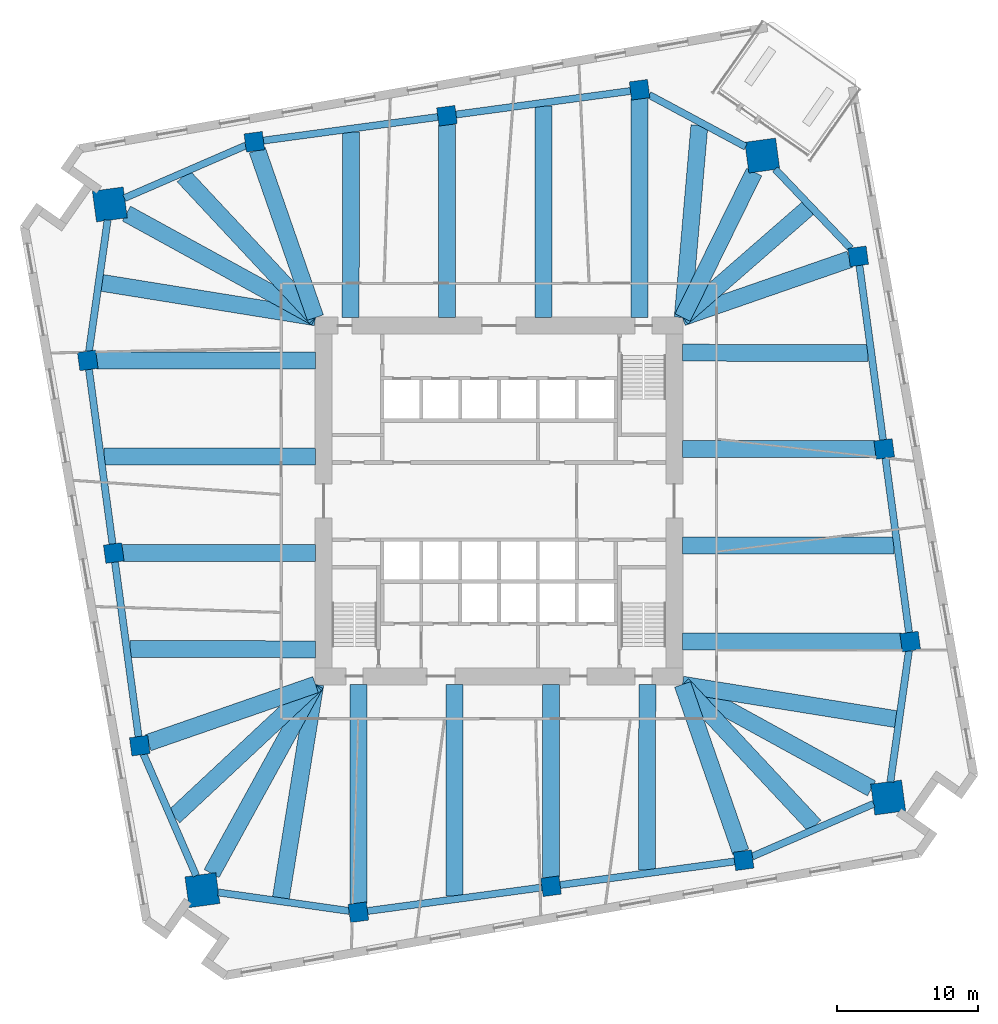
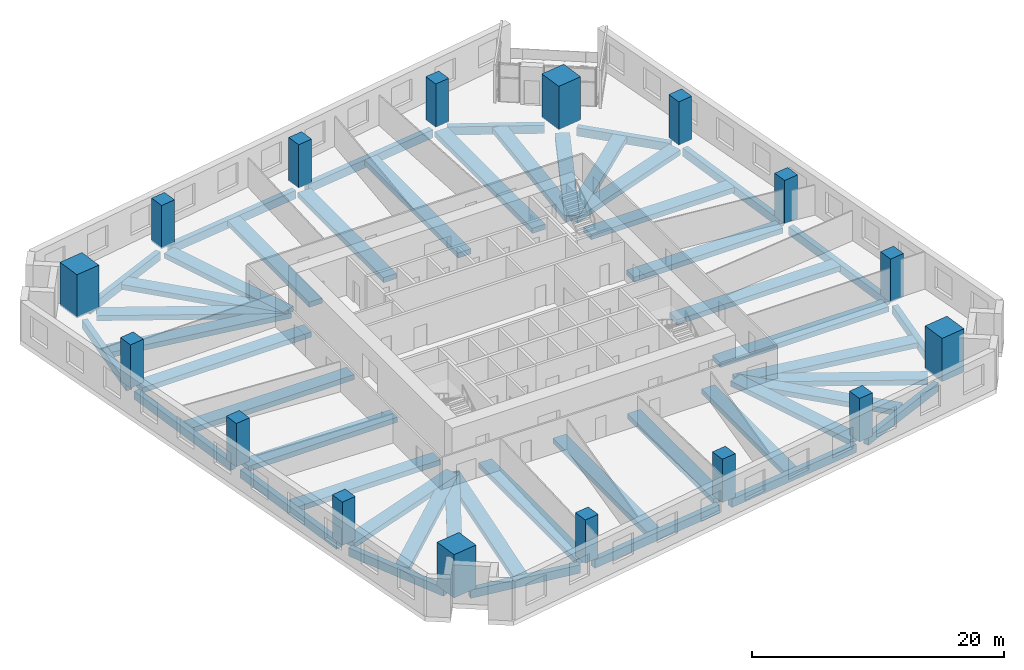
# One storey, part 1 of 10: 48 beams, 16 columns.
"""IFC4 building model written with IfcOpenShell, lengths in metres."""

from ifc_helpers import new_model, si_unit, direction, frame, origin, origin_2d, place, context, subcontext, project, spatial, rectangle, extrude, material, material_profile, profile_set, type_object, element, save


model = new_model("IFC4")

# Units and contexts
model_context = context("Model", 3, precision=1e-05, world=origin(), true_north=direction((0.0, 1.0)))
body_context = subcontext(model_context, "Body", "Model", "MODEL_VIEW")
ifc_project = project(units=[si_unit("LENGTHUNIT", "METRE"), si_unit("AREAUNIT", "SQUARE_METRE"), si_unit("VOLUMEUNIT", "CUBIC_METRE"), si_unit("PLANEANGLEUNIT", "RADIAN"), si_unit("MASSUNIT", "GRAM", prefix="KILO")], contexts=[model_context])

# Site, building, storey
site_placement = place(None, origin())
site = spatial("IfcSite", under=ifc_project, at=site_placement, CompositionType="ELEMENT")
building_placement = place(site_placement, origin())
building = spatial("IfcBuilding", under=site, at=building_placement, Name="Dilmun Exchange Tower", CompositionType="ELEMENT")
storey_placement = place(building_placement, frame((0.0, 0.0, 63.89990234375)))
storey = spatial("IfcBuildingStorey", under=building, at=storey_placement, Name="L14", CompositionType="ELEMENT", Elevation=63.89990234375)

# Columns
ifc_material_1 = material(Name="Concrete C80/95", Category="concrete")
ifc_material_profile_1 = material_profile(ifc_material_1, rectangle(XDim=2.199951171875, YDim=2.199951171875, at=origin_2d()), Name="2200 x 2200")
ifc_profile_set_1 = profile_set([ifc_material_profile_1], Name="Concrete C80/95")
column_type_1 = type_object("IfcColumnType", Name="RC mega column 2200 x 2200 C80/95", PredefinedType="COLUMN", material=ifc_profile_set_1)
for number, where, z_axis, x_axis, name in (
    (1, (18.6220703125, 24.43701171875, 0.0), (0.0, 0.0, 1.0), (0.991001197216, 0.133853005627, 0.0), "Mega column M1"),
    (2, (-27.531005859375, 20.97900390625, 0.0), (0.0, 0.0, 1.0), (0.991001197216, 0.133853005627, 0.0), "Mega column M2"),
    (3, (-20.97900390625, -27.531005859375, 0.0), (0.0, 0.0, 1.0), (0.991001197216, 0.133853005627, 0.0), "Mega column M3"),
    (4, (27.531005859375, -20.97900390625, 0.0), (0.0, 0.0, 1.0), (0.991001197216, 0.133853005627, 0.0), "Mega column M4"),
):
    element("IfcColumn", number, at=place(storey_placement, frame(where, z_axis=z_axis, x_axis=x_axis)), inside=storey, type_object=column_type_1, Name=name, PredefinedType="COLUMN", context=body_context, shape_type="SweptSolid", body=[
        extrude(rectangle(XDim=2.199951171875, YDim=2.199951171875, at=origin_2d()), origin(), (0.0, 0.0, 1.0), 4.2001953125),
    ])
ifc_material_profile_2 = material_profile(ifc_material_1, rectangle(XDim=1.300048828125, YDim=1.300048828125, at=origin_2d()), Name="1300 x 1300")
ifc_profile_set_2 = profile_set([ifc_material_profile_2], Name="Concrete C80/95")
column_type_2 = type_object("IfcColumnType", Name="RC ring column 1300 x 1300 C80/95", PredefinedType="COLUMN", material=ifc_profile_set_2)
for number, where, z_axis, x_axis, name in (
    (5, (9.945068359375, 29.093017578125, 0.0), (0.0, 0.0, 1.0), (0.991001197216, 0.133853005627, 0.0), "Ring column R01"),
    (6, (-3.680908203125, 27.2529296875, 0.0), (0.0, 0.0, 1.0), (0.991001197216, 0.133853005627, 0.0), "Ring column R02"),
    (7, (-17.306884765625, 25.412109375, 0.0), (0.0, 0.0, 1.0), (0.991001197216, 0.133853005627, 0.0), "Ring column R03"),
    (8, (-29.093017578125, 9.945068359375, 0.0), (0.0, 0.0, 1.0), (0.991001197216, 0.133853005627, 0.0), "Ring column R04"),
    (9, (-27.2529296875, -3.680908203125, 0.0), (0.0, 0.0, 1.0), (0.991001197216, 0.133853005627, 0.0), "Ring column R05"),
    (10, (-25.412109375, -17.306884765625, 0.0), (0.0, 0.0, 1.0), (0.991001197216, 0.133853005627, 0.0), "Ring column R06"),
    (11, (-9.945068359375, -29.093017578125, 0.0), (0.0, 0.0, 1.0), (0.991001197216, 0.133853005627, 0.0), "Ring column R07"),
    (12, (3.680908203125, -27.2529296875, 0.0), (0.0, 0.0, 1.0), (0.991001197216, 0.133853005627, 0.0), "Ring column R08"),
    (13, (17.306884765625, -25.412109375, 0.0), (0.0, 0.0, 1.0), (0.991001197216, 0.133853005627, 0.0), "Ring column R09"),
    (14, (29.093017578125, -9.945068359375, 0.0), (0.0, 0.0, 1.0), (0.991001197216, 0.133853005627, 0.0), "Ring column R10"),
    (15, (27.2529296875, 3.680908203125, 0.0), (0.0, 0.0, 1.0), (0.991001197216, 0.133853005627, 0.0), "Ring column R11"),
    (16, (25.412109375, 17.306884765625, 0.0), (0.0, 0.0, 1.0), (0.991001197216, 0.133853005627, 0.0), "Ring column R12"),
):
    element("IfcColumn", number, at=place(storey_placement, frame(where, z_axis=z_axis, x_axis=x_axis)), inside=storey, type_object=column_type_2, Name=name, PredefinedType="COLUMN", context=body_context, shape_type="SweptSolid", body=[
        extrude(rectangle(XDim=1.300048828125, YDim=1.300048828125, at=origin_2d()), origin(), (0.0, 0.0, 1.0), 4.2001953125),
    ])

# Beams
ifc_material_2 = material(Name="Concrete C40/50", Category="concrete")
ifc_material_profile_3 = material_profile(ifc_material_2, rectangle(XDim=1.199951171875, YDim=0.5, at=origin_2d()), Name="1200 x 500")
ifc_profile_set_3 = profile_set([ifc_material_profile_3], Name="Concrete C40/50")
beam_type_1 = type_object("IfcBeamType", Name="RC band beam 1200 x 500 C40/50", PredefinedType="BEAM", material=ifc_profile_set_3)
beam_1_placement = place(storey_placement, frame((18.049560546875, 23.272216796875, -0.699951171875), z_axis=(-0.44116009834, -0.897428419225, 0.0), x_axis=(0.897428419225, -0.44116009834, 0.0)))
element("IfcBeam", 17, at=beam_1_placement, inside=storey, type_object=beam_type_1, Name="Band beam 1", PredefinedType="BEAM", context=body_context, shape_type="SweptSolid", body=[
    extrude(rectangle(XDim=1.199951171875, YDim=0.5, at=origin_2d()), origin(), (0.0, 0.0, 1.0), 11.47314453125),
])
beam_2_placement = place(storey_placement, frame((9.945068359375, 28.464111328125, -0.699951171875), z_axis=(0.0, -1.0, 0.0), x_axis=(1.0, 0.0, 0.0)))
element("IfcBeam", 18, at=beam_2_placement, inside=storey, type_object=beam_type_1, Name="Band beam 2", PredefinedType="BEAM", context=body_context, shape_type="SweptSolid", body=[
    extrude(rectangle(XDim=1.199951171875, YDim=0.5, at=origin_2d()), origin(), (0.0, 0.0, 1.0), 15.4912109375),
])
beam_3_placement = place(storey_placement, frame((-3.680908203125, 26.6240234375, -0.699951171875), z_axis=(0.0, -1.0, 0.0), x_axis=(1.0, 0.0, 0.0)))
element("IfcBeam", 19, at=beam_3_placement, inside=storey, type_object=beam_type_1, Name="Band beam 3", PredefinedType="BEAM", context=body_context, shape_type="SweptSolid", body=[
    extrude(rectangle(XDim=1.199951171875, YDim=0.5, at=origin_2d()), origin(), (0.0, 0.0, 1.0), 13.651123046875),
])
beam_4_placement = place(storey_placement, frame((-17.098388671875, 24.81103515625, -0.699951171875), z_axis=(0.327819910959, -0.94474023201, 0.0), x_axis=(0.94474023201, 0.327819910959, 0.0)))
element("IfcBeam", 20, at=beam_4_placement, inside=storey, type_object=beam_type_1, Name="Band beam 4", PredefinedType="BEAM", context=body_context, shape_type="SweptSolid", body=[
    extrude(rectangle(XDim=1.199951171875, YDim=0.5, at=origin_2d()), origin(), (0.0, 0.0, 1.0), 12.52880859375),
])
beam_5_placement = place(storey_placement, frame((-26.355712890625, 20.333740234375, -0.699951171875), z_axis=(0.876547324806, -0.481315683699, 0.0), x_axis=(0.481315683699, 0.876547324806, 0.0)))
element("IfcBeam", 21, at=beam_5_placement, inside=storey, type_object=beam_type_1, Name="Band beam 5", PredefinedType="BEAM", context=body_context, shape_type="SweptSolid", body=[
    extrude(rectangle(XDim=1.199951171875, YDim=0.5, at=origin_2d()), origin(), (0.0, 0.0, 1.0), 15.263671875),
])
beam_6_placement = place(storey_placement, frame((-28.464111328125, 9.945068359375, -0.699951171875), z_axis=(1.0, 0.0, 0.0), x_axis=(0.0, 1.0, 0.0)))
element("IfcBeam", 22, at=beam_6_placement, inside=storey, type_object=beam_type_1, Name="Band beam 6", PredefinedType="BEAM", context=body_context, shape_type="SweptSolid", body=[
    extrude(rectangle(XDim=1.199951171875, YDim=0.5, at=origin_2d()), origin(), (0.0, 0.0, 1.0), 15.4912109375),
])
beam_7_placement = place(storey_placement, frame((-26.6240234375, -3.680908203125, -0.699951171875), z_axis=(1.0, 0.0, 0.0), x_axis=(0.0, 1.0, 0.0)))
element("IfcBeam", 23, at=beam_7_placement, inside=storey, type_object=beam_type_1, Name="Band beam 7", PredefinedType="BEAM", context=body_context, shape_type="SweptSolid", body=[
    extrude(rectangle(XDim=1.199951171875, YDim=0.5, at=origin_2d()), origin(), (0.0, 0.0, 1.0), 13.651123046875),
])
beam_8_placement = place(storey_placement, frame((-24.81103515625, -17.098388671875, -0.699951171875), z_axis=(0.94474023201, 0.327819910959, 0.0), x_axis=(-0.327819910959, 0.94474023201, 0.0)))
element("IfcBeam", 24, at=beam_8_placement, inside=storey, type_object=beam_type_1, Name="Band beam 8", PredefinedType="BEAM", context=body_context, shape_type="SweptSolid", body=[
    extrude(rectangle(XDim=1.199951171875, YDim=0.5, at=origin_2d()), origin(), (0.0, 0.0, 1.0), 12.52880859375),
])
beam_9_placement = place(storey_placement, frame((-20.333740234375, -26.355712890625, -0.699951171875), z_axis=(0.481315683699, 0.876547324806, 0.0), x_axis=(-0.876547324806, 0.481315683699, 0.0)))
element("IfcBeam", 25, at=beam_9_placement, inside=storey, type_object=beam_type_1, Name="Band beam 9", PredefinedType="BEAM", context=body_context, shape_type="SweptSolid", body=[
    extrude(rectangle(XDim=1.199951171875, YDim=0.5, at=origin_2d()), origin(), (0.0, 0.0, 1.0), 15.263671875),
])
beam_10_placement = place(storey_placement, frame((-9.945068359375, -28.464111328125, -0.699951171875), z_axis=(0.0, 1.0, 0.0), x_axis=(-1.0, 0.0, 0.0)))
element("IfcBeam", 26, at=beam_10_placement, inside=storey, type_object=beam_type_1, Name="Band beam 10", PredefinedType="BEAM", context=body_context, shape_type="SweptSolid", body=[
    extrude(rectangle(XDim=1.199951171875, YDim=0.5, at=origin_2d()), origin(), (0.0, 0.0, 1.0), 15.4912109375),
])
beam_11_placement = place(storey_placement, frame((3.680908203125, -26.6240234375, -0.699951171875), z_axis=(0.0, 1.0, 0.0), x_axis=(-1.0, 0.0, 0.0)))
element("IfcBeam", 27, at=beam_11_placement, inside=storey, type_object=beam_type_1, Name="Band beam 11", PredefinedType="BEAM", context=body_context, shape_type="SweptSolid", body=[
    extrude(rectangle(XDim=1.199951171875, YDim=0.5, at=origin_2d()), origin(), (0.0, 0.0, 1.0), 13.651123046875),
])
beam_12_placement = place(storey_placement, frame((17.098388671875, -24.81103515625, -0.699951171875), z_axis=(-0.327819910959, 0.94474023201, 0.0), x_axis=(-0.94474023201, -0.327819910959, 0.0)))
element("IfcBeam", 28, at=beam_12_placement, inside=storey, type_object=beam_type_1, Name="Band beam 12", PredefinedType="BEAM", context=body_context, shape_type="SweptSolid", body=[
    extrude(rectangle(XDim=1.199951171875, YDim=0.5, at=origin_2d()), origin(), (0.0, 0.0, 1.0), 12.52880859375),
])
beam_13_placement = place(storey_placement, frame((26.355712890625, -20.333740234375, -0.699951171875), z_axis=(-0.876547324806, 0.481315683699, 0.0), x_axis=(-0.481315683699, -0.876547324806, 0.0)))
element("IfcBeam", 29, at=beam_13_placement, inside=storey, type_object=beam_type_1, Name="Band beam 13", PredefinedType="BEAM", context=body_context, shape_type="SweptSolid", body=[
    extrude(rectangle(XDim=1.199951171875, YDim=0.5, at=origin_2d()), origin(), (0.0, 0.0, 1.0), 15.263671875),
])
beam_14_placement = place(storey_placement, frame((28.464111328125, -9.945068359375, -0.699951171875), z_axis=(-1.0, 0.0, 0.0), x_axis=(0.0, -1.0, 0.0)))
element("IfcBeam", 30, at=beam_14_placement, inside=storey, type_object=beam_type_1, Name="Band beam 14", PredefinedType="BEAM", context=body_context, shape_type="SweptSolid", body=[
    extrude(rectangle(XDim=1.199951171875, YDim=0.5, at=origin_2d()), origin(), (0.0, 0.0, 1.0), 15.4912109375),
])
beam_15_placement = place(storey_placement, frame((26.6240234375, 3.680908203125, -0.699951171875), z_axis=(-1.0, 0.0, 0.0), x_axis=(0.0, -1.0, 0.0)))
element("IfcBeam", 31, at=beam_15_placement, inside=storey, type_object=beam_type_1, Name="Band beam 15", PredefinedType="BEAM", context=body_context, shape_type="SweptSolid", body=[
    extrude(rectangle(XDim=1.199951171875, YDim=0.5, at=origin_2d()), origin(), (0.0, 0.0, 1.0), 13.651123046875),
])
beam_16_placement = place(storey_placement, frame((24.81103515625, 17.098388671875, -0.699951171875), z_axis=(-0.94474023201, -0.327819910959, 0.0), x_axis=(0.327819910959, -0.94474023201, 0.0)))
element("IfcBeam", 32, at=beam_16_placement, inside=storey, type_object=beam_type_1, Name="Band beam 16", PredefinedType="BEAM", context=body_context, shape_type="SweptSolid", body=[
    extrude(rectangle(XDim=1.199951171875, YDim=0.5, at=origin_2d()), origin(), (0.0, 0.0, 1.0), 12.52880859375),
])
beam_17_placement = place(storey_placement, frame((14.177978515625, 26.568603515625, -0.699951171875), z_axis=(-0.086499148019, -0.996251924662, 0.0), x_axis=(0.996251924662, -0.086499148019, 0.0)))
element("IfcBeam", 33, at=beam_17_placement, inside=storey, type_object=beam_type_1, Name="Band beam 17", PredefinedType="BEAM", context=body_context, shape_type="SweptSolid", body=[
    extrude(rectangle(XDim=1.199951171875, YDim=0.5, at=origin_2d()), origin(), (0.0, 0.0, 1.0), 13.646728515625),
])
beam_18_placement = place(storey_placement, frame((3.161865234375, 27.951904296875, -0.699951171875), z_axis=(-0.001988456479, -0.999998023018, 0.0), x_axis=(0.999998023018, -0.001988456479, 0.0)))
element("IfcBeam", 34, at=beam_18_placement, inside=storey, type_object=beam_type_1, Name="Band beam 18", PredefinedType="BEAM", context=body_context, shape_type="SweptSolid", body=[
    extrude(rectangle(XDim=1.199951171875, YDim=0.5, at=origin_2d()), origin(), (0.0, 0.0, 1.0), 14.97900390625),
])
beam_19_placement = place(storey_placement, frame((-10.464111328125, 26.111572265625, -0.699951171875), z_axis=(-0.002266977971, -0.999997430402, 0.0), x_axis=(0.999997430402, -0.002266977971, 0.0)))
element("IfcBeam", 35, at=beam_19_placement, inside=storey, type_object=beam_type_1, Name="Band beam 19", PredefinedType="BEAM", context=body_context, shape_type="SweptSolid", body=[
    extrude(rectangle(XDim=1.199951171875, YDim=0.5, at=origin_2d()), origin(), (0.0, 0.0, 1.0), 13.138671875),
])
beam_20_placement = place(storey_placement, frame((-22.330322265625, 22.990966796875, -0.699951171875), z_axis=(0.682523984798, -0.730863195253, 0.0), x_axis=(0.730863195253, 0.682523984798, 0.0)))
element("IfcBeam", 36, at=beam_20_placement, inside=storey, type_object=beam_type_1, Name="Band beam 20", PredefinedType="BEAM", context=body_context, shape_type="SweptSolid", body=[
    extrude(rectangle(XDim=1.199951171875, YDim=0.5, at=origin_2d()), origin(), (0.0, 0.0, 1.0), 13.697265625),
])
beam_21_placement = place(storey_placement, frame((-28.09130859375, 15.4306640625, -0.699951171875), z_axis=(0.98727513595, -0.159021400868, 0.0), x_axis=(0.159021400868, 0.98727513595, 0.0)))
element("IfcBeam", 37, at=beam_21_placement, inside=storey, type_object=beam_type_1, Name="Band beam 21", PredefinedType="BEAM", context=body_context, shape_type="SweptSolid", body=[
    extrude(rectangle(XDim=1.199951171875, YDim=0.5, at=origin_2d()), origin(), (0.0, 0.0, 1.0), 15.312744140625),
])
beam_22_placement = place(storey_placement, frame((-27.951904296875, 3.161865234375, -0.699951171875), z_axis=(0.999998023018, -0.001988456479, 0.0), x_axis=(0.001988456479, 0.999998023018, 0.0)))
element("IfcBeam", 38, at=beam_22_placement, inside=storey, type_object=beam_type_1, Name="Band beam 22", PredefinedType="BEAM", context=body_context, shape_type="SweptSolid", body=[
    extrude(rectangle(XDim=1.199951171875, YDim=0.5, at=origin_2d()), origin(), (0.0, 0.0, 1.0), 14.97900390625),
])
beam_23_placement = place(storey_placement, frame((-26.111572265625, -10.464111328125, -0.699951171875), z_axis=(0.999997430402, -0.002266977971, 0.0), x_axis=(0.002266977971, 0.999997430402, 0.0)))
element("IfcBeam", 39, at=beam_23_placement, inside=storey, type_object=beam_type_1, Name="Band beam 23", PredefinedType="BEAM", context=body_context, shape_type="SweptSolid", body=[
    extrude(rectangle(XDim=1.199951171875, YDim=0.5, at=origin_2d()), origin(), (0.0, 0.0, 1.0), 13.138671875),
])
beam_24_placement = place(storey_placement, frame((-22.990966796875, -22.330322265625, -0.699951171875), z_axis=(0.730863195253, 0.682523984798, 0.0), x_axis=(-0.682523984798, 0.730863195253, 0.0)))
element("IfcBeam", 40, at=beam_24_placement, inside=storey, type_object=beam_type_1, Name="Band beam 24", PredefinedType="BEAM", context=body_context, shape_type="SweptSolid", body=[
    extrude(rectangle(XDim=1.199951171875, YDim=0.5, at=origin_2d()), origin(), (0.0, 0.0, 1.0), 13.697265625),
])
beam_25_placement = place(storey_placement, frame((-15.4306640625, -28.09130859375, -0.699951171875), z_axis=(0.159021400868, 0.98727513595, 0.0), x_axis=(-0.98727513595, 0.159021400868, 0.0)))
element("IfcBeam", 41, at=beam_25_placement, inside=storey, type_object=beam_type_1, Name="Band beam 25", PredefinedType="BEAM", context=body_context, shape_type="SweptSolid", body=[
    extrude(rectangle(XDim=1.199951171875, YDim=0.5, at=origin_2d()), origin(), (0.0, 0.0, 1.0), 15.312744140625),
])
beam_26_placement = place(storey_placement, frame((-3.161865234375, -27.951904296875, -0.699951171875), z_axis=(0.001988456479, 0.999998023018, 0.0), x_axis=(-0.999998023018, 0.001988456479, 0.0)))
element("IfcBeam", 42, at=beam_26_placement, inside=storey, type_object=beam_type_1, Name="Band beam 26", PredefinedType="BEAM", context=body_context, shape_type="SweptSolid", body=[
    extrude(rectangle(XDim=1.199951171875, YDim=0.5, at=origin_2d()), origin(), (0.0, 0.0, 1.0), 14.97900390625),
])
beam_27_placement = place(storey_placement, frame((10.464111328125, -26.111572265625, -0.699951171875), z_axis=(0.002266977971, 0.999997430402, 0.0), x_axis=(-0.999997430402, 0.002266977971, 0.0)))
element("IfcBeam", 43, at=beam_27_placement, inside=storey, type_object=beam_type_1, Name="Band beam 27", PredefinedType="BEAM", context=body_context, shape_type="SweptSolid", body=[
    extrude(rectangle(XDim=1.199951171875, YDim=0.5, at=origin_2d()), origin(), (0.0, 0.0, 1.0), 13.138671875),
])
beam_28_placement = place(storey_placement, frame((22.330322265625, -22.990966796875, -0.699951171875), z_axis=(-0.682523984798, 0.730863195253, 0.0), x_axis=(-0.730863195253, -0.682523984798, 0.0)))
element("IfcBeam", 44, at=beam_28_placement, inside=storey, type_object=beam_type_1, Name="Band beam 28", PredefinedType="BEAM", context=body_context, shape_type="SweptSolid", body=[
    extrude(rectangle(XDim=1.199951171875, YDim=0.5, at=origin_2d()), origin(), (0.0, 0.0, 1.0), 13.697265625),
])
beam_29_placement = place(storey_placement, frame((28.09130859375, -15.4306640625, -0.699951171875), z_axis=(-0.98727513595, 0.159021400868, 0.0), x_axis=(-0.159021400868, -0.98727513595, 0.0)))
element("IfcBeam", 45, at=beam_29_placement, inside=storey, type_object=beam_type_1, Name="Band beam 29", PredefinedType="BEAM", context=body_context, shape_type="SweptSolid", body=[
    extrude(rectangle(XDim=1.199951171875, YDim=0.5, at=origin_2d()), origin(), (0.0, 0.0, 1.0), 15.312744140625),
])
beam_30_placement = place(storey_placement, frame((27.951904296875, -3.161865234375, -0.699951171875), z_axis=(-0.999998023018, 0.001988456479, 0.0), x_axis=(-0.001988456479, -0.999998023018, 0.0)))
element("IfcBeam", 46, at=beam_30_placement, inside=storey, type_object=beam_type_1, Name="Band beam 30", PredefinedType="BEAM", context=body_context, shape_type="SweptSolid", body=[
    extrude(rectangle(XDim=1.199951171875, YDim=0.5, at=origin_2d()), origin(), (0.0, 0.0, 1.0), 14.97900390625),
])
beam_31_placement = place(storey_placement, frame((26.111572265625, 10.464111328125, -0.699951171875), z_axis=(-0.999997430402, 0.002266977971, 0.0), x_axis=(-0.002266977971, -0.999997430402, 0.0)))
element("IfcBeam", 47, at=beam_31_placement, inside=storey, type_object=beam_type_1, Name="Band beam 31", PredefinedType="BEAM", context=body_context, shape_type="SweptSolid", body=[
    extrude(rectangle(XDim=1.199951171875, YDim=0.5, at=origin_2d()), origin(), (0.0, 0.0, 1.0), 13.138671875),
])
beam_32_placement = place(storey_placement, frame((21.85546875, 20.71826171875, -0.699951171875), z_axis=(-0.75384567582, -0.657051517803, 0.0), x_axis=(0.657051517803, -0.75384567582, 0.0)))
element("IfcBeam", 48, at=beam_32_placement, inside=storey, type_object=beam_type_1, Name="Band beam 32", PredefinedType="BEAM", context=body_context, shape_type="SweptSolid", body=[
    extrude(rectangle(XDim=1.199951171875, YDim=0.5, at=origin_2d()), origin(), (0.0, 0.0, 1.0), 11.77392578125),
])
ifc_material_profile_4 = material_profile(ifc_material_2, rectangle(XDim=0.5, YDim=0.800048828125, at=origin_2d()), Name="500 x 800")
ifc_profile_set_4 = profile_set([ifc_material_profile_4], Name="Concrete C40/50")
beam_type_2 = type_object("IfcBeamType", Name="RC ring beam 500 x 800 C40/50", PredefinedType="SPANDREL", material=ifc_profile_set_4)
beam_33_placement = place(storey_placement, frame((17.44921875, 25.06640625, -0.849853515625), z_axis=(-0.881161870548, 0.472814718354, 0.0), x_axis=(-0.472814718354, -0.881161870548, 0.0)))
element("IfcBeam", 49, at=beam_33_placement, inside=storey, type_object=beam_type_2, Name="Ring beam 1", PredefinedType="SPANDREL", context=body_context, shape_type="SweptSolid", body=[
    extrude(rectangle(XDim=0.5, YDim=0.800048828125, at=origin_2d()), origin(), (0.0, 0.0, 1.0), 7.74072265625),
])
for number, where, z_axis, x_axis, name in (
    (50, (9.32763671875, 29.009521484375, -0.849853515625), (-0.991007411355, -0.133806990248, 0.0), (0.133806990248, -0.991007411355, 0.0), "Ring beam 2"),
    (51, (-4.29833984375, 27.169677734375, -0.849853515625), (-0.990994461239, -0.133902867012, 0.0), (0.133902867012, -0.990994461239, 0.0), "Ring beam 3"),
):
    element("IfcBeam", number, at=place(storey_placement, frame(where, z_axis=z_axis, x_axis=x_axis)), inside=storey, type_object=beam_type_2, Name=name, PredefinedType="SPANDREL", context=body_context, shape_type="SweptSolid", body=[
        extrude(rectangle(XDim=0.5, YDim=0.800048828125, at=origin_2d()), origin(), (0.0, 0.0, 1.0), 12.50390625),
    ])
beam_34_placement = place(storey_placement, frame((-17.90185546875, 25.154052734375, -0.849853515625), z_axis=(-0.917467286901, -0.397811233459, 0.0), x_axis=(0.397811233459, -0.917467286901, 0.0)))
element("IfcBeam", 52, at=beam_34_placement, inside=storey, type_object=beam_type_2, Name="Ring beam 4", PredefinedType="SPANDREL", context=body_context, shape_type="SweptSolid", body=[
    extrude(rectangle(XDim=0.5, YDim=0.800048828125, at=origin_2d()), origin(), (0.0, 0.0, 1.0), 9.37939453125),
])
beam_35_placement = place(storey_placement, frame((-27.6875, 19.8740234375, -0.849853515625), z_axis=(-0.140164060375, -0.990128292788, 0.0), x_axis=(0.990128292788, -0.140164060375, 0.0)))
element("IfcBeam", 53, at=beam_35_placement, inside=storey, type_object=beam_type_2, Name="Ring beam 5", PredefinedType="SPANDREL", context=body_context, shape_type="SweptSolid", body=[
    extrude(rectangle(XDim=0.5, YDim=0.800048828125, at=origin_2d()), origin(), (0.0, 0.0, 1.0), 9.379638671875),
])
for number, where, z_axis, x_axis, name in (
    (54, (-29.009521484375, 9.32763671875, -0.849853515625), (0.133806990248, -0.991007411355, 0.0), (0.991007411355, 0.133806990248, 0.0), "Ring beam 6"),
    (55, (-27.169677734375, -4.29833984375, -0.849853515625), (0.133902867012, -0.990994461239, 0.0), (0.990994461239, 0.133902867012, 0.0), "Ring beam 7"),
):
    element("IfcBeam", number, at=place(storey_placement, frame(where, z_axis=z_axis, x_axis=x_axis)), inside=storey, type_object=beam_type_2, Name=name, PredefinedType="SPANDREL", context=body_context, shape_type="SweptSolid", body=[
        extrude(rectangle(XDim=0.5, YDim=0.800048828125, at=origin_2d()), origin(), (0.0, 0.0, 1.0), 12.50390625),
    ])
beam_36_placement = place(storey_placement, frame((-25.154052734375, -17.90185546875, -0.849853515625), z_axis=(0.397811233459, -0.917467286901, 0.0), x_axis=(0.917467286901, 0.397811233459, 0.0)))
element("IfcBeam", 56, at=beam_36_placement, inside=storey, type_object=beam_type_2, Name="Ring beam 8", PredefinedType="SPANDREL", context=body_context, shape_type="SweptSolid", body=[
    extrude(rectangle(XDim=0.5, YDim=0.800048828125, at=origin_2d()), origin(), (0.0, 0.0, 1.0), 9.37939453125),
])
beam_37_placement = place(storey_placement, frame((-19.8740234375, -27.6875, -0.849853515625), z_axis=(0.990128292788, -0.140164060375, 0.0), x_axis=(0.140164060375, 0.990128292788, 0.0)))
element("IfcBeam", 57, at=beam_37_placement, inside=storey, type_object=beam_type_2, Name="Ring beam 9", PredefinedType="SPANDREL", context=body_context, shape_type="SweptSolid", body=[
    extrude(rectangle(XDim=0.5, YDim=0.800048828125, at=origin_2d()), origin(), (0.0, 0.0, 1.0), 9.379638671875),
])
for number, where, z_axis, x_axis, name in (
    (58, (-9.32763671875, -29.009521484375, -0.849853515625), (0.991007411355, 0.133806990248, 0.0), (-0.133806990248, 0.991007411355, 0.0), "Ring beam 10"),
    (59, (4.29833984375, -27.169677734375, -0.849853515625), (0.990994461239, 0.133902867012, 0.0), (-0.133902867012, 0.990994461239, 0.0), "Ring beam 11"),
):
    element("IfcBeam", number, at=place(storey_placement, frame(where, z_axis=z_axis, x_axis=x_axis)), inside=storey, type_object=beam_type_2, Name=name, PredefinedType="SPANDREL", context=body_context, shape_type="SweptSolid", body=[
        extrude(rectangle(XDim=0.5, YDim=0.800048828125, at=origin_2d()), origin(), (0.0, 0.0, 1.0), 12.50390625),
    ])
beam_38_placement = place(storey_placement, frame((17.90185546875, -25.154052734375, -0.849853515625), z_axis=(0.917467286901, 0.397811233459, 0.0), x_axis=(-0.397811233459, 0.917467286901, 0.0)))
element("IfcBeam", 60, at=beam_38_placement, inside=storey, type_object=beam_type_2, Name="Ring beam 12", PredefinedType="SPANDREL", context=body_context, shape_type="SweptSolid", body=[
    extrude(rectangle(XDim=0.5, YDim=0.800048828125, at=origin_2d()), origin(), (0.0, 0.0, 1.0), 9.37939453125),
])
beam_39_placement = place(storey_placement, frame((27.6875, -19.8740234375, -0.849853515625), z_axis=(0.140164060375, 0.990128292788, 0.0), x_axis=(-0.990128292788, 0.140164060375, 0.0)))
element("IfcBeam", 61, at=beam_39_placement, inside=storey, type_object=beam_type_2, Name="Ring beam 13", PredefinedType="SPANDREL", context=body_context, shape_type="SweptSolid", body=[
    extrude(rectangle(XDim=0.5, YDim=0.800048828125, at=origin_2d()), origin(), (0.0, 0.0, 1.0), 9.379638671875),
])
for number, where, z_axis, x_axis, name in (
    (62, (29.009521484375, -9.32763671875, -0.849853515625), (-0.133806990248, 0.991007411355, 0.0), (-0.991007411355, -0.133806990248, 0.0), "Ring beam 14"),
    (63, (27.169677734375, 4.29833984375, -0.849853515625), (-0.133902867012, 0.990994461239, 0.0), (-0.990994461239, -0.133902867012, 0.0), "Ring beam 15"),
):
    element("IfcBeam", number, at=place(storey_placement, frame(where, z_axis=z_axis, x_axis=x_axis)), inside=storey, type_object=beam_type_2, Name=name, PredefinedType="SPANDREL", context=body_context, shape_type="SweptSolid", body=[
        extrude(rectangle(XDim=0.5, YDim=0.800048828125, at=origin_2d()), origin(), (0.0, 0.0, 1.0), 12.50390625),
    ])
beam_40_placement = place(storey_placement, frame((24.877197265625, 17.86865234375, -0.849853515625), z_axis=(-0.689624451134, 0.724167188154, 0.0), x_axis=(-0.724167188154, -0.689624451134, 0.0)))
element("IfcBeam", 64, at=beam_40_placement, inside=storey, type_object=beam_type_2, Name="Ring beam 16", PredefinedType="SPANDREL", context=body_context, shape_type="SweptSolid", body=[
    extrude(rectangle(XDim=0.5, YDim=0.800048828125, at=origin_2d()), origin(), (0.0, 0.0, 1.0), 7.7392578125),
])

save(model, "model.ifc")
